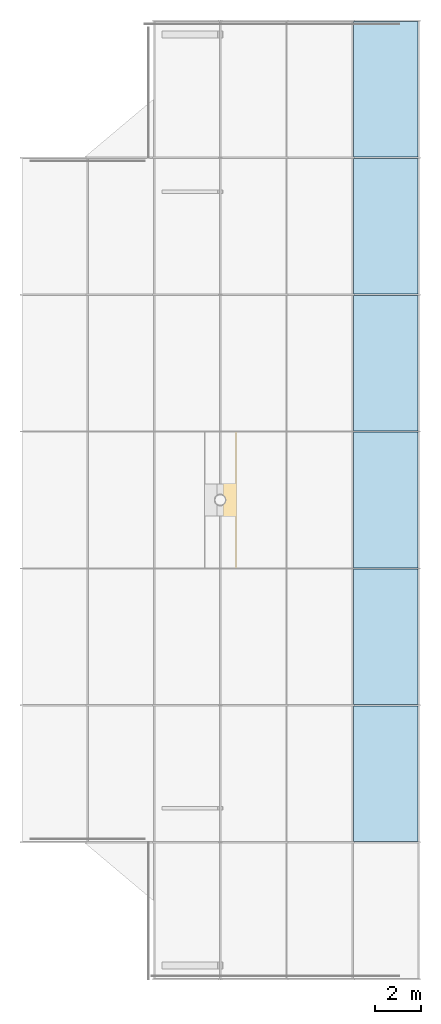
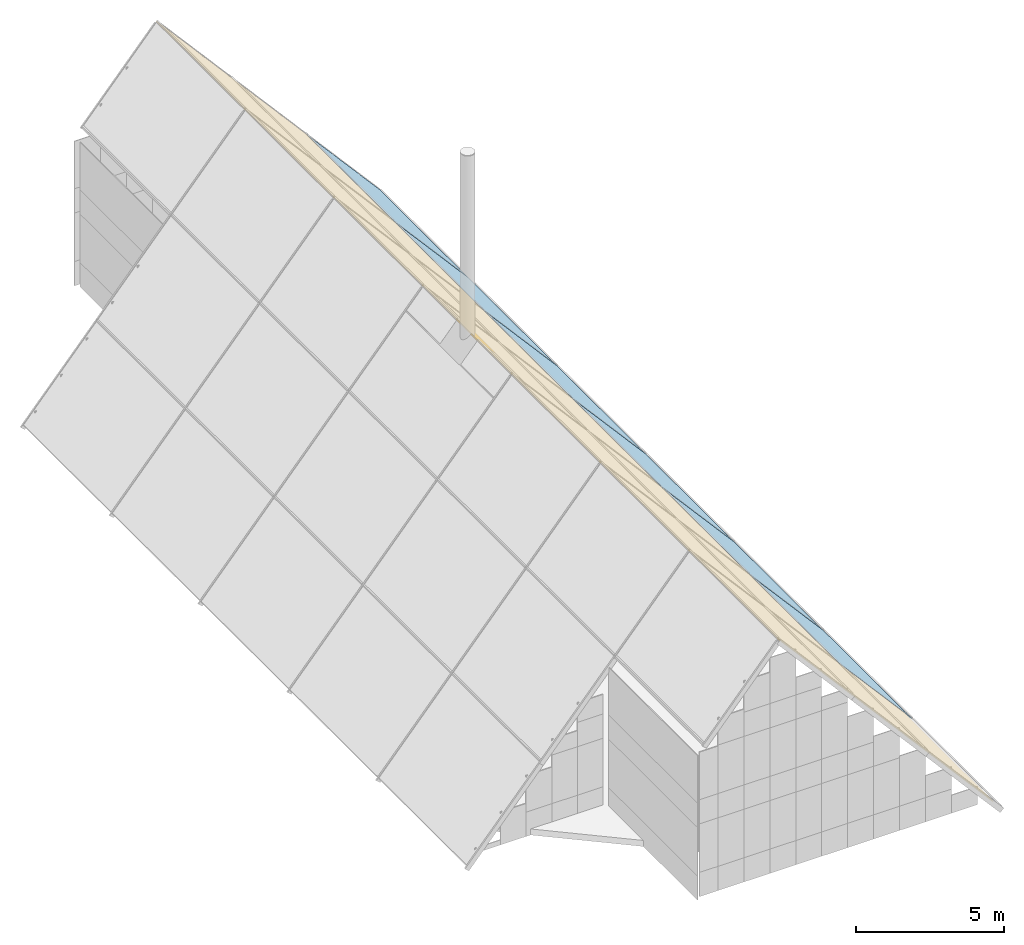
# One storey, part 4 of 5: 6 plates, plus 1 element that does not belong to this part.
"""IFC4 building model written with IfcOpenShell, lengths in metres."""

from ifc_helpers import new_model, si_unit, direction, frame, origin, place, context, subcontext, project, spatial, polyline, outline, extrude, material, layer, layer_set, type_object, element, aggregate, save


model = new_model("IFC4")

# Units and contexts
model_context = context("Model", 3, precision=1e-05, world=origin(), true_north=direction((0.0, 1.0)))
body_context = subcontext(model_context, "Body", "Model", "MODEL_VIEW")
ifc_project = project(units=[si_unit("LENGTHUNIT", "METRE"), si_unit("AREAUNIT", "SQUARE_METRE"), si_unit("VOLUMEUNIT", "CUBIC_METRE"), si_unit("PLANEANGLEUNIT", "RADIAN"), si_unit("MASSUNIT", "GRAM", prefix="KILO")], contexts=[model_context])

# Plate
ifc_material_1 = material(Name="Laminated heat-strengthened glass", Category="glass")
ifc_layer = layer(ifc_material_1, 0.031982421875)
ifc_layer_set = layer_set([ifc_layer], Name="Laminated heat-strengthened glass")
plate_type = type_object("IfcPlateType", Name="Crown roof glazing panel CR-CW-P", PredefinedType="CURTAIN_PANEL", material=ifc_layer_set)
site_placement = place(None, origin())
building_placement = place(site_placement, origin())
storey_placement = place(building_placement, frame((0.0, 0.0, 357.199951171875)))
plate_1_placement = place(storey_placement, frame((21.1298828125, 12.030029296875, 2.96875), z_axis=(0.0, 0.0, 1.0), x_axis=(1.0, 0.0, 0.0)))
plate_1 = element("IfcPlate", 1, at=plate_1_placement, type_object=plate_type, Name="Crown roof glazing panel", PredefinedType="CURTAIN_PANEL", context=body_context, shape_type="SweptSolid", body=[
    extrude(outline(polyline([(0.0, 0.0), (2.840087890625, -3.264404296875), (2.840087890625, -3.313232421875), (0.0, -0.048828125), (0.0, 0.0)])), frame((0.0, 5.93994140625, 0.0), z_axis=(0.0, -1.0, 0.0), x_axis=(1.0, 0.0, 0.0)), (0.0, 0.0, 1.0), 5.93994140625),
])

plate_2_placement = place(storey_placement, frame((21.1298828125, 18.030029296875, 2.96875), z_axis=(0.0, 0.0, 1.0), x_axis=(1.0, 0.0, 0.0)))
plate_2 = element("IfcPlate", 2, at=plate_2_placement, type_object=plate_type, Name="Crown roof glazing panel", PredefinedType="CURTAIN_PANEL", context=body_context, shape_type="SweptSolid", body=[
    extrude(outline(polyline([(0.0, 0.0), (2.840087890625, -3.264404296875), (2.840087890625, -3.313232421875), (0.0, -0.048828125), (0.0, 0.0)])), frame((0.0, 5.93994140625, 0.0), z_axis=(0.0, -1.0, 0.0), x_axis=(1.0, 0.0, 0.0)), (0.0, 0.0, 1.0), 5.93994140625),
])

plate_3_placement = place(storey_placement, frame((21.1298828125, 24.030029296875, 2.96875), z_axis=(0.0, 0.0, 1.0), x_axis=(1.0, 0.0, 0.0)))
plate_3 = element("IfcPlate", 3, at=plate_3_placement, type_object=plate_type, Name="Crown roof glazing panel", PredefinedType="CURTAIN_PANEL", context=body_context, shape_type="SweptSolid", body=[
    extrude(outline(polyline([(0.0, 0.0), (2.840087890625, -3.264404296875), (2.840087890625, -3.313232421875), (0.0, -0.048828125), (0.0, 0.0)])), frame((0.0, 5.93994140625, 0.0), z_axis=(0.0, -1.0, 0.0), x_axis=(1.0, 0.0, 0.0)), (0.0, 0.0, 1.0), 5.93994140625),
])

plate_4_placement = place(storey_placement, frame((21.1298828125, 30.030029296875, 2.96875), z_axis=(0.0, 0.0, 1.0), x_axis=(1.0, 0.0, 0.0)))
plate_4 = element("IfcPlate", 4, at=plate_4_placement, type_object=plate_type, Name="Crown roof glazing panel", PredefinedType="CURTAIN_PANEL", context=body_context, shape_type="SweptSolid", body=[
    extrude(outline(polyline([(0.0, 0.0), (2.840087890625, -3.264404296875), (2.840087890625, -3.313232421875), (0.0, -0.048828125), (0.0, 0.0)])), frame((0.0, 5.93994140625, 0.0), z_axis=(0.0, -1.0, 0.0), x_axis=(1.0, 0.0, 0.0)), (0.0, 0.0, 1.0), 5.93994140625),
])

plate_5_placement = place(storey_placement, frame((21.1298828125, 36.030029296875, 2.96875), z_axis=(0.0, 0.0, 1.0), x_axis=(1.0, 0.0, 0.0)))
plate_5 = element("IfcPlate", 5, at=plate_5_placement, type_object=plate_type, Name="Crown roof glazing panel", PredefinedType="CURTAIN_PANEL", context=body_context, shape_type="SweptSolid", body=[
    extrude(outline(polyline([(0.0, 0.0), (2.840087890625, -3.264404296875), (2.840087890625, -3.313232421875), (0.0, -0.048828125), (0.0, 0.0)])), frame((0.0, 5.93994140625, 0.0), z_axis=(0.0, -1.0, 0.0), x_axis=(1.0, 0.0, 0.0)), (0.0, 0.0, 1.0), 5.93994140625),
])

plate_6_placement = place(storey_placement, frame((21.1298828125, 42.030029296875, 2.96875), z_axis=(0.0, 0.0, 1.0), x_axis=(1.0, 0.0, 0.0)))
plate_6 = element("IfcPlate", 6, at=plate_6_placement, type_object=plate_type, Name="Crown roof glazing panel", PredefinedType="CURTAIN_PANEL", context=body_context, shape_type="SweptSolid", body=[
    extrude(outline(polyline([(0.0, 0.0), (2.840087890625, -3.264404296875), (2.840087890625, -3.313232421875), (0.0, -0.048828125), (0.0, 0.0)])), frame((0.0, 5.93994140625, 0.0), z_axis=(0.0, -1.0, 0.0), x_axis=(1.0, 0.0, 0.0)), (0.0, 0.0, 1.0), 5.93994140625),
])

# Site, building, storey
site = spatial("IfcSite", under=ifc_project, at=site_placement, CompositionType="ELEMENT")
building = spatial("IfcBuilding", under=site, at=building_placement, Name="Khomas Fold Tower", CompositionType="ELEMENT")
storey = spatial("IfcBuildingStorey", under=building, at=storey_placement, Name="ROOF", CompositionType="ELEMENT", Elevation=357.199951171875)

# Curtain wall
ifc_material_2 = material(Name="Aluminium framed double glazing", Category="aluminium")
curtain_wall_type = type_object("IfcCurtainWallType", Name="Crown roof glazing CR-CW", PredefinedType="NOTDEFINED", material=ifc_material_2)
curtain_wall_placement = place(storey_placement, frame((15.300048828125, 24.0, 9.664794921875), z_axis=(0.754442889196, 0.0, 0.656365696042), x_axis=(0.0, 1.0, 0.0)))
curtain_wall = element("IfcCurtainWall", 7, at=curtain_wall_placement, inside=storey, type_object=curtain_wall_type, Name="Crown roof glazing GE ROOF", PredefinedType="NOTDEFINED", context=body_context, shape_type="SweptSolid", body=[
    extrude(outline(polyline([(0.0, 0.0), (6.0, 0.0), (12.0, 0.0), (18.0, 0.0), (24.0, 0.0), (24.0, -4.418144654245103), (24.0, -8.836633744179963), (24.0, -12.76746637378027), (-18.0, -12.76746637378027), (-18.0, -8.836633744179963), (-18.0, -4.418144654245103), (-18.0, 0.0), (-12.0, 0.0), (-6.0, 0.0), (0.0, 0.0)])), origin(), (0.0, 0.0, -1.0), 0.031982421875),
])

aggregate(curtain_wall, [plate_1, plate_2, plate_3, plate_4, plate_5, plate_6])

save(model, "model.ifc")
